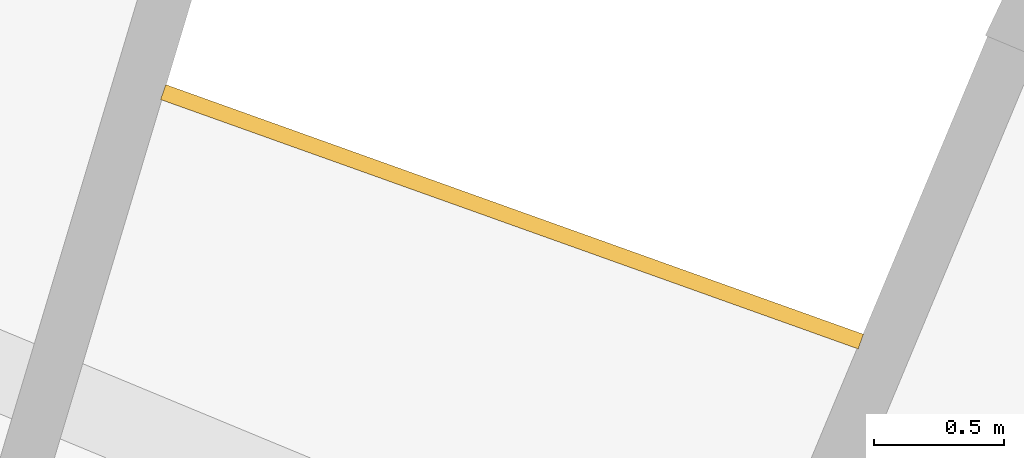
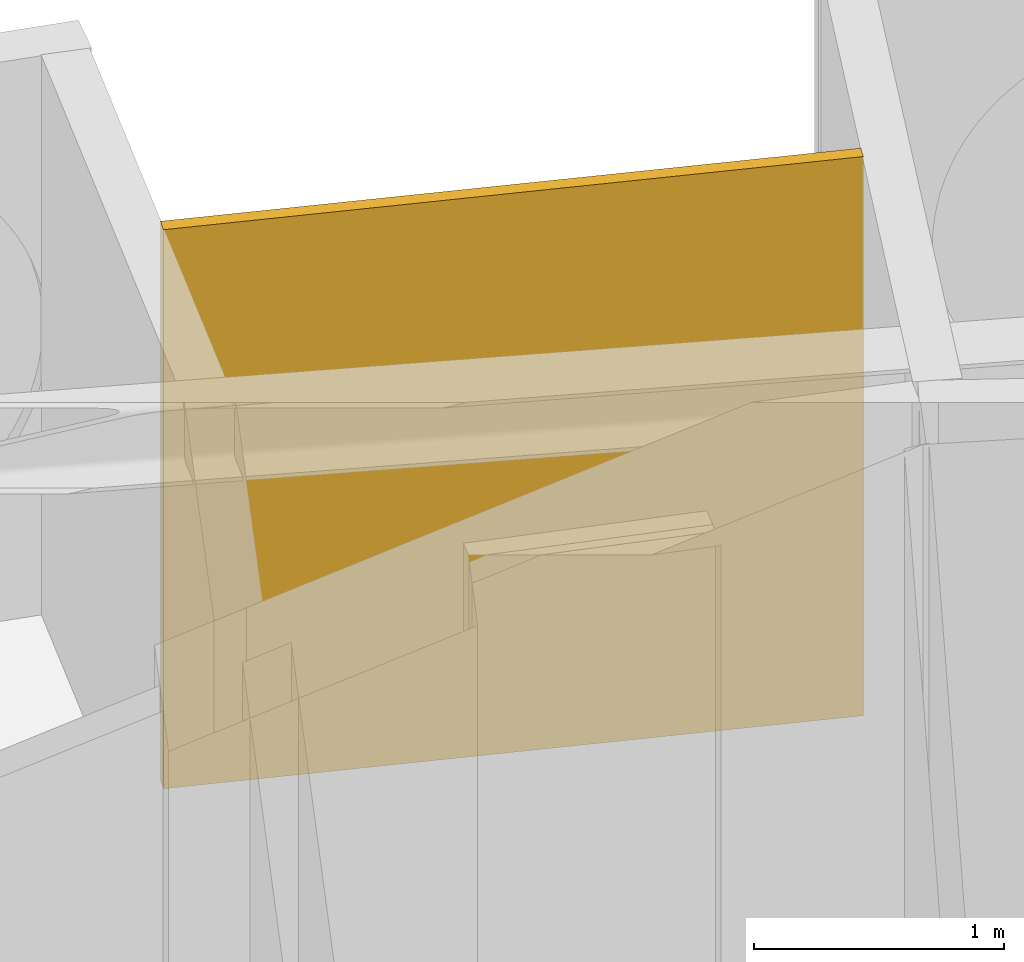
# One storey, part 29 of 29: 1 railing.
"""IFC4 building model written with IfcOpenShell, lengths in metres."""

import ifcopenshell
import ifcopenshell.guid

model = None  # the IFC model being written
_history = None  # IfcOwnerHistory: only IFC2X3 demands one
_inside = {}  # id of a spatial element -> (the spatial element, [elements in it])
_under = {}  # id of a project, library or spatial element -> (it, [spatial elements below it])
_declared = {}  # id of a project -> (the project, [libraries it declares])
_typed = {}  # id of a type object -> (the type object, [elements of that type])
_made_of = {}  # id of a material, layer set ... -> (it, [elements and type objects made of it])


def new_model(schema):
    """Start an empty IFC model of exactly this schema.

    Asked for "IFC4X3", IfcOpenShell would pick the latest addendum, in which some entities
    have other attributes; the version numbers below select the first issue.
    IFC2X3 requires an IfcOwnerHistory on every rooted entity: one is made here for all.
    """
    global model, _history
    if schema == "IFC4X3":
        model = ifcopenshell.file(schema_version=(4, 3, 0, 0))
    else:
        model = ifcopenshell.file(schema=schema)
    _inside.clear()
    _under.clear()
    _declared.clear()
    _typed.clear()
    _made_of.clear()
    _history = None
    if model.schema == "IFC2X3":
        org = make("IfcOrganization", Name="unknown")
        user = make(
            "IfcPersonAndOrganization",
            ThePerson=make("IfcPerson", FamilyName="unknown"),
            TheOrganization=org,
        )
        app = make(
            "IfcApplication",
            ApplicationDeveloper=org,
            Version="unknown",
            ApplicationFullName="unknown",
            ApplicationIdentifier="unknown",
        )
        _history = make(
            "IfcOwnerHistory",
            OwningUser=user,
            OwningApplication=app,
            ChangeAction="ADDED",
            CreationDate=0,
        )
    return model


def make(cls, **values):
    """One entity of the class cls with the attributes given. An attribute that is None is left unset."""
    return model.create_entity(
        cls, **{name: value for name, value in values.items() if value is not None}
    )


def rooted(cls, **values):
    """An entity with a GlobalId (a new one), such as an element, a storey or a relation."""
    return make(cls, GlobalId=ifcopenshell.guid.new(), OwnerHistory=_history, **values)


def si_unit(unit_type, name, prefix=None):
    """IfcSIUnit, for example si_unit("LENGTHUNIT", "METRE", prefix="MILLI")."""
    return make("IfcSIUnit", UnitType=unit_type, Prefix=prefix, Name=name)


def assignment(units):
    """IfcUnitAssignment: the units of a project."""
    return None if units is None else make("IfcUnitAssignment", Units=units)


def point(xyz):
    """IfcCartesianPoint."""
    return None if xyz is None else make("IfcCartesianPoint", Coordinates=xyz)


def direction(xyz):
    """IfcDirection."""
    return None if xyz is None else make("IfcDirection", DirectionRatios=xyz)


def frame(location, z_axis=None, x_axis=None):
    """IfcAxis2Placement3D, a coordinate frame: its origin and axes. An axis left out is left unset."""
    return make(
        "IfcAxis2Placement3D",
        Location=point(location),
        Axis=direction(z_axis),
        RefDirection=direction(x_axis),
    )


def origin():
    """The frame at (0, 0, 0) with its axes left unset."""
    return frame((0.0, 0.0, 0.0))


def place(relative_to, where):
    """IfcLocalPlacement: puts the frame where relative to a parent placement (None: the world)."""
    return make(
        "IfcLocalPlacement", PlacementRelTo=relative_to, RelativePlacement=where
    )


def context(
    kind, dimensions, precision=None, world=None, true_north=None, identifier=None
):
    """IfcGeometricRepresentationContext, for example the 3D "Model" context."""
    return make(
        "IfcGeometricRepresentationContext",
        ContextIdentifier=identifier,
        ContextType=kind,
        CoordinateSpaceDimension=dimensions,
        Precision=precision,
        WorldCoordinateSystem=world,
        TrueNorth=true_north,
    )


def subcontext(parent, identifier, kind, view, scale=None):
    """IfcGeometricRepresentationSubContext, for example "Body" below "Model"."""
    return make(
        "IfcGeometricRepresentationSubContext",
        ContextIdentifier=identifier,
        ContextType=kind,
        ParentContext=parent,
        TargetScale=scale,
        TargetView=view,
    )


def project(units=None, contexts=None):
    """IfcProject with its units and contexts."""
    return rooted(
        "IfcProject",
        Name="project",
        RepresentationContexts=contexts,
        UnitsInContext=assignment(units),
    )


def spatial(cls, under=None, at=None, **own):
    """A site, building, storey or space (cls), placed at a placement, below another one or the project."""
    s = rooted(cls, ObjectPlacement=at, **own)
    if under is not None:
        _under.setdefault(under.id(), (under, []))[1].append(s)
    return s


def polyline(points):
    """IfcPolyline through the points."""
    return make("IfcPolyline", Points=[point(p) for p in points])


def outline(outer, holes=None, kind="AREA"):
    """IfcArbitraryClosedProfileDef: a profile drawn as a closed curve; with holes, ...WithVoids."""
    if holes is None:
        return make("IfcArbitraryClosedProfileDef", ProfileType=kind, OuterCurve=outer)
    return make(
        "IfcArbitraryProfileDefWithVoids",
        ProfileType=kind,
        OuterCurve=outer,
        InnerCurves=holes,
    )


def extrude(swept, where, along, depth):
    """IfcExtrudedAreaSolid: the profile swept, set in the frame where, extruded along a direction by depth."""
    return make(
        "IfcExtrudedAreaSolid",
        SweptArea=swept,
        Position=where,
        ExtrudedDirection=direction(along),
        Depth=depth,
    )


def shape(context_of_items, identifier, shape_type, items):
    """IfcShapeRepresentation: the items that make up one representation, for example the "Body"."""
    return make(
        "IfcShapeRepresentation",
        ContextOfItems=context_of_items,
        RepresentationIdentifier=identifier,
        RepresentationType=shape_type,
        Items=items,
    )


def material(Name=None, Category=None):
    """IfcMaterial."""
    return make("IfcMaterial", Name=Name, Category=Category)


def layer(
    of_material, thickness, ventilated=None, Name=None, Category=None, Priority=None
):
    """IfcMaterialLayer: one layer of a wall or slab, of a material (None: an air gap)."""
    return make(
        "IfcMaterialLayer",
        Material=of_material,
        LayerThickness=thickness,
        IsVentilated=ventilated,
        Name=Name,
        Category=Category,
        Priority=Priority,
    )


def layer_set(layers, Name=None):
    """IfcMaterialLayerSet."""
    return make("IfcMaterialLayerSet", MaterialLayers=layers, LayerSetName=Name)


def made_of(thing, what):
    """Note that an element or type object is made of a material, layer set ...; save() writes the relation."""
    if what is not None:
        _made_of.setdefault(what.id(), (what, []))[1].append(thing)
    return thing


def type_object(cls, material=None, **own):
    """A type object (cls), such as IfcWallType, which elements share."""
    return made_of(rooted(cls, **own), material)


def element(
    cls,
    number,
    at=None,
    inside=None,
    cuts=None,
    type_object=None,
    material=None,
    context=None,
    identifier="Body",
    shape_type=None,
    held_by="IfcProductDefinitionShape",
    body=None,
    shapes=None,
    **own,
):
    """One element of the class cls, such as IfcWall. Its Tag is "e" and its number.

    at: its placement. inside: the storey or other place that contains it. cuts: it is an
    opening in that element (IfcRelVoidsElement). A single representation is given by context,
    identifier, shape_type and body (its items); several are given by shapes. held_by: the class
    of the entity that holds the representations. save() writes the other relations.
    """
    e = rooted(cls, Tag="e%d" % number, ObjectPlacement=at, **own)
    if body is not None:
        shapes = [shape(context, identifier, shape_type, body)]
    if shapes is not None:
        e.Representation = make(held_by, Representations=shapes)
    if inside is not None:
        _inside.setdefault(inside.id(), (inside, []))[1].append(e)
    if cuts is not None:
        rooted(
            "IfcRelVoidsElement", RelatingBuildingElement=cuts, RelatedOpeningElement=e
        )
    if type_object is not None:
        _typed.setdefault(type_object.id(), (type_object, []))[1].append(e)
    return made_of(e, material)


def aggregate(whole, parts):
    """IfcRelAggregates: a whole, such as a stair, and the parts it consists of."""
    return rooted("IfcRelAggregates", RelatingObject=whole, RelatedObjects=parts)


def save(model, path):
    """Write the relations noted so far, then the file.

    IfcRelAggregates (storeys below a building ...), IfcRelContainedInSpatialStructure (elements
    in a storey), IfcRelDefinesByType, IfcRelAssociatesMaterial and IfcRelDeclares: one each for
    every whole, place, type object, material and project.
    """
    for whole, parts in _under.values():
        aggregate(whole, parts)
    for where, things in _inside.values():
        rooted(
            "IfcRelContainedInSpatialStructure",
            RelatedElements=things,
            RelatingStructure=where,
        )
    for kind, things in _typed.values():
        rooted("IfcRelDefinesByType", RelatedObjects=things, RelatingType=kind)
    for what, things in _made_of.values():
        rooted("IfcRelAssociatesMaterial", RelatedObjects=things, RelatingMaterial=what)
    for by, libraries in _declared.values():
        rooted("IfcRelDeclares", RelatingContext=by, RelatedDefinitions=libraries)
    model.write(path)


model = new_model("IFC4")

# Units and contexts
model_context = context("Model", 3, precision=1e-05, world=origin(), true_north=direction((0.0, 1.0)))
body_context = subcontext(model_context, "Body", "Model", "MODEL_VIEW")
ifc_project = project(units=[si_unit("LENGTHUNIT", "METRE"), si_unit("AREAUNIT", "SQUARE_METRE"), si_unit("VOLUMEUNIT", "CUBIC_METRE"), si_unit("PLANEANGLEUNIT", "RADIAN"), si_unit("MASSUNIT", "GRAM", prefix="KILO")], contexts=[model_context])

# Site, building, storey
site_placement = place(None, origin())
site = spatial("IfcSite", under=ifc_project, at=site_placement, CompositionType="ELEMENT")
building_placement = place(site_placement, origin())
building = spatial("IfcBuilding", under=site, at=building_placement, Name="Maasbend Ring Residences", CompositionType="ELEMENT")
storey_placement = place(building_placement, frame((0.0, 0.0, 215.75)))
storey = spatial("IfcBuildingStorey", under=building, at=storey_placement, Name="L62", CompositionType="ELEMENT", Elevation=215.75)

# Railing
ifc_material = material(Name="Pale anodised perforated aluminium", Category="aluminium")
ifc_layer = layer(ifc_material, 0.06005859375)
ifc_layer_set = layer_set([ifc_layer], Name="SCREEN-P")
railing_type = type_object("IfcRailingType", Name="SCREEN-P", PredefinedType="GUARDRAIL", material=ifc_layer_set)
railing_placement = place(storey_placement, frame((0.0, 0.0, -0.030029296875)))
element("IfcRailing", 1, at=railing_placement, inside=storey, type_object=railing_type, Name="Perforated screen guard 4", PredefinedType="GUARDRAIL", context=body_context, shape_type="SweptSolid", body=[
    extrude(outline(polyline([(11.097900390625, 26.79296875), (8.41796875, 27.7509765625), (8.43798828125, 27.80810546875), (11.117919921875, 26.84912109375), (11.097900390625, 26.79296875)])), origin(), (0.0, 0.0, 1.0), 2.72998046875),
])

save(model, "model.ifc")
